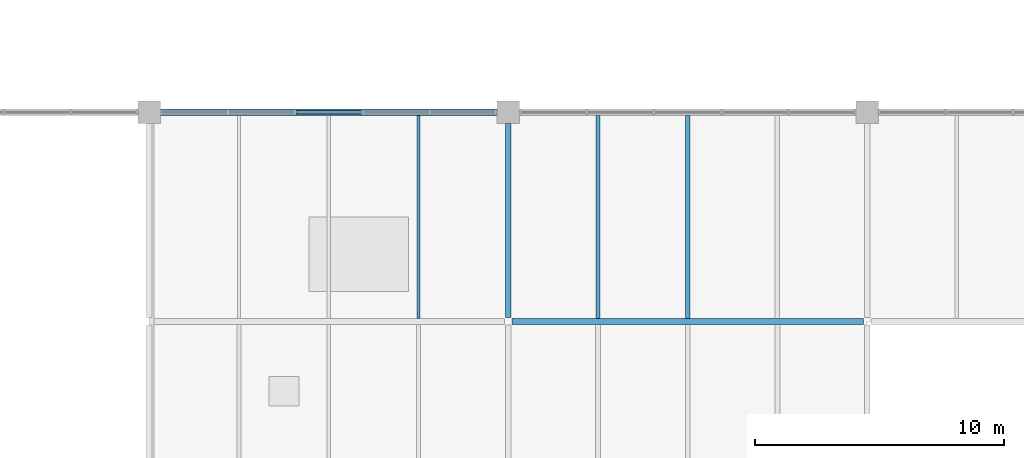
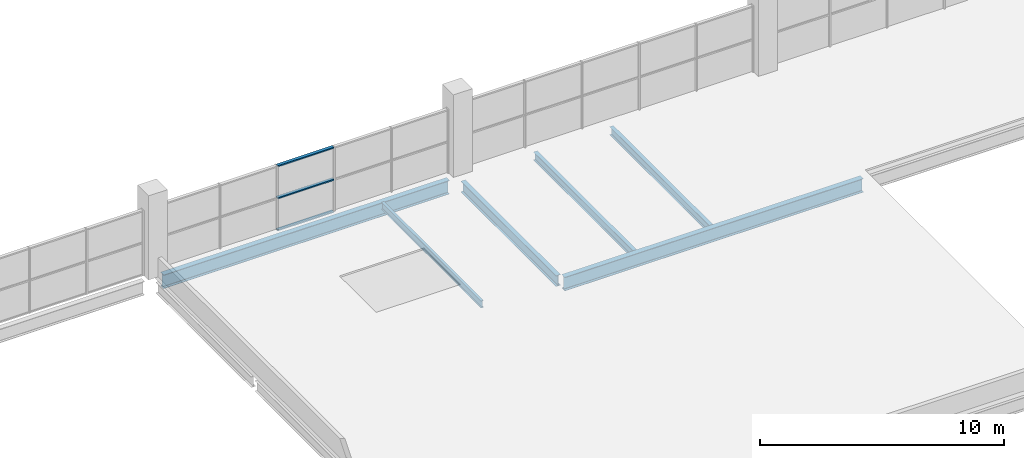
# One storey, part 13 of 93: 6 beams, 3 members, 1 element without a shape of its own.
"""IFC4 building model written with IfcOpenShell, lengths in metres."""

from ifc_helpers import new_model, si_unit, direction, frame, origin, origin_2d, place, context, subcontext, project, spatial, hollow_rectangle, i_section, extrude, material, material_profile, profile_set, type_object, element, aggregate, save


model = new_model("IFC4")

# Units and contexts
model_context = context("Model", 3, precision=1e-05, world=origin(), true_north=direction((0.0, 1.0)))
body_context = subcontext(model_context, "Body", "Model", "MODEL_VIEW")
ifc_project = project(units=[si_unit("LENGTHUNIT", "METRE"), si_unit("AREAUNIT", "SQUARE_METRE"), si_unit("VOLUMEUNIT", "CUBIC_METRE"), si_unit("PLANEANGLEUNIT", "RADIAN"), si_unit("MASSUNIT", "GRAM", prefix="KILO"), si_unit("THERMODYNAMICTEMPERATUREUNIT", "KELVIN")], contexts=[model_context])

# Site, building, storey
site_placement = place(None, origin())
site = spatial("IfcSite", under=ifc_project, at=site_placement, CompositionType="ELEMENT")
building_placement = place(site_placement, origin())
building = spatial("IfcBuilding", under=site, at=building_placement, Name="Nduvali Passage Aquatics Centre", CompositionType="ELEMENT")
storey_placement = place(building_placement, frame((0.0, 0.0, 9.0)))
storey = spatial("IfcBuildingStorey", under=building, at=storey_placement, Name="L02", CompositionType="ELEMENT", Elevation=9.0)

# Curtain wall, members
ifc_material_1 = material(Name="Aluminium EN AW-6063 T6", Category="aluminium")
curtain_wall_type = type_object("IfcCurtainWallType", Name="ENV-CW-CLER", PredefinedType="NOTDEFINED", material=ifc_material_1)
curtain_wall_placement = place(storey_placement, origin())
curtain_wall = element("IfcCurtainWall", 1, at=curtain_wall_placement, inside=storey, type_object=curtain_wall_type, Name="L02 South Pool Hall Eave Clerestory 047", PredefinedType="NOTDEFINED")
ifc_material_profile_1 = material_profile(ifc_material_1, hollow_rectangle(XDim=0.14990234375, YDim=0.06005859375, WallThickness=0.00390625, at=origin_2d()), Name="ALU TRANSOM 150x60x4")
ifc_profile_set_1 = profile_set([ifc_material_profile_1], Name="Aluminium EN AW-6063 T6")
member_type = type_object("IfcMemberType", Name="ENV-MEM-TRN80", PredefinedType="USERDEFINED", material=ifc_profile_set_1)
member_1_placement = place(storey_placement, frame((45.47998046875, 25.199951171875, 0.030029296875), z_axis=(1.0, 0.0, 0.0), x_axis=(0.0, 1.0, 0.0)))
member_1 = element("IfcMember", 2, at=member_1_placement, type_object=member_type, Name="South Pool Hall Eave Clerestory Transom B3-R0", ObjectType="TRANSOM", PredefinedType="USERDEFINED", context=body_context, shape_type="SweptSolid", body=[
    extrude(hollow_rectangle(XDim=0.14990234375, YDim=0.06005859375, WallThickness=0.00390625, at=origin_2d()), origin(), (0.0, 0.0, 1.0), 2.64013671875),
])
member_2_placement = place(storey_placement, frame((45.47998046875, 25.199951171875, 1.63134765625), z_axis=(1.0, 0.0, 0.0), x_axis=(0.0, 1.0, 0.0)))
member_2 = element("IfcMember", 3, at=member_2_placement, type_object=member_type, Name="South Pool Hall Eave Clerestory Transom B3-R1", ObjectType="TRANSOM", PredefinedType="USERDEFINED", context=body_context, shape_type="SweptSolid", body=[
    extrude(hollow_rectangle(XDim=0.14990234375, YDim=0.06005859375, WallThickness=0.00390625, at=origin_2d()), origin(), (0.0, 0.0, 1.0), 2.64013671875),
])
member_3_placement = place(storey_placement, frame((45.47998046875, 25.199951171875, 3.232666015625), z_axis=(1.0, 0.0, 0.0), x_axis=(0.0, 1.0, 0.0)))
member_3 = element("IfcMember", 4, at=member_3_placement, type_object=member_type, Name="South Pool Hall Eave Clerestory Transom B3-R2", ObjectType="TRANSOM", PredefinedType="USERDEFINED", context=body_context, shape_type="SweptSolid", body=[
    extrude(hollow_rectangle(XDim=0.14990234375, YDim=0.06005859375, WallThickness=0.00390625, at=origin_2d()), origin(), (0.0, 0.0, 1.0), 2.64013671875),
])
aggregate(curtain_wall, [member_1, member_2, member_3])

# Beams
ifc_material_2 = material(Name="Steel S355", Category="steel")
ifc_material_profile_2 = material_profile(ifc_material_2, i_section(OverallWidth=0.210693359375, OverallDepth=0.53955078125, WebThickness=0.01171875, FlangeThickness=0.018798828125, FilletRadius=0.0126953125, at=origin_2d()), Name="UKB 533x210x109")
ifc_profile_set_2 = profile_set([ifc_material_profile_2], Name="Steel S355")
beam_type_1 = type_object("IfcBeamType", Name="STR-BM-UKB533", PredefinedType="BEAM", material=ifc_profile_set_2)
beam_1_placement = place(storey_placement, frame((54.0, 16.949951171875, -0.493896484375), z_axis=(0.0, 1.0, 0.0), x_axis=(-1.0, 0.0, 0.0)))
element("IfcBeam", 5, at=beam_1_placement, inside=storey, type_object=beam_type_1, Name="L02 Primary Y-Girder B6-0976", PredefinedType="BEAM", context=body_context, shape_type="SweptSolid", body=[
    extrude(i_section(OverallWidth=0.210693359375, OverallDepth=0.53955078125, WebThickness=0.01171875, FlangeThickness=0.018798828125, FilletRadius=0.0126953125, at=origin_2d()), origin(), (0.0, 0.0, 1.0), 7.800048828125),
])
ifc_material_profile_3 = material_profile(ifc_material_2, i_section(OverallWidth=0.253662109375, OverallDepth=0.68359375, WebThickness=0.012451171875, FlangeThickness=0.01904296875, FilletRadius=0.01513671875, at=origin_2d()), Name="UKB 686x254x140")
ifc_profile_set_3 = profile_set([ifc_material_profile_3], Name="Steel S355")
beam_type_2 = type_object("IfcBeamType", Name="STR-BM-UKB686", PredefinedType="BEAM", material=ifc_profile_set_3)
beam_2_placement = place(storey_placement, frame((54.14990234375, 16.800048828125, -0.565673828125), z_axis=(1.0, 0.0, 0.0), x_axis=(0.0, 1.0, 0.0)))
element("IfcBeam", 6, at=beam_2_placement, inside=storey, type_object=beam_type_2, Name="L02 Primary X-Girder B4-0869", PredefinedType="BEAM", context=body_context, shape_type="SweptSolid", body=[
    extrude(i_section(OverallWidth=0.253662109375, OverallDepth=0.68359375, WebThickness=0.012451171875, FlangeThickness=0.01904296875, FilletRadius=0.01513671875, at=origin_2d()), origin(), (0.0, 0.0, 1.0), 14.10009765625),
])
ifc_material_profile_4 = material_profile(ifc_material_2, i_section(OverallWidth=0.253662109375, OverallDepth=0.68359375, WebThickness=0.012451171875, FlangeThickness=0.01904296875, FilletRadius=0.01513671875, at=origin_2d()), Name="UKB 686x254x140")
ifc_profile_set_4 = profile_set([ifc_material_profile_4], Name="Steel S355")
beam_type_3 = type_object("IfcBeamType", Name="STR-BM-UKB686-EXT", PredefinedType="BEAM", material=ifc_profile_set_4)
beam_3_placement = place(storey_placement, frame((40.050048828125, 25.199951171875, -0.605712890625), z_axis=(1.0, 0.0, 0.0), x_axis=(0.0, 1.0, 0.0)))
element("IfcBeam", 7, at=beam_3_placement, inside=storey, type_object=beam_type_3, Name="L02 Primary X-Girder B4E-0875", PredefinedType="BEAM", context=body_context, shape_type="SweptSolid", body=[
    extrude(i_section(OverallWidth=0.253662109375, OverallDepth=0.68359375, WebThickness=0.012451171875, FlangeThickness=0.01904296875, FilletRadius=0.01513671875, at=origin_2d()), origin(), (0.0, 0.0, 1.0), 13.5),
])
ifc_material_profile_5 = material_profile(ifc_material_2, i_section(OverallWidth=0.1259765625, OverallDepth=0.353515625, WebThickness=0.006591796875, FlangeThickness=0.0107421875, FilletRadius=0.01025390625, at=origin_2d()), Name="UKB 356x127x39")
ifc_profile_set_5 = profile_set([ifc_material_profile_5], Name="Steel S355")
beam_type_4 = type_object("IfcBeamType", Name="STR-JST-UKB356L", PredefinedType="JOIST", material=ifc_profile_set_5)
beam_4_placement = place(storey_placement, frame((50.39990234375, 16.9267578125, -0.400634765625), z_axis=(0.0, 1.0, 0.0), x_axis=(-1.0, 0.0, 0.0)))
element("IfcBeam", 8, at=beam_4_placement, inside=storey, type_object=beam_type_4, Name="L02 Secondary Joist J2A-1079", PredefinedType="JOIST", context=body_context, shape_type="SweptSolid", body=[
    extrude(i_section(OverallWidth=0.1259765625, OverallDepth=0.353515625, WebThickness=0.006591796875, FlangeThickness=0.0107421875, FilletRadius=0.01025390625, at=origin_2d()), origin(), (0.0, 0.0, 1.0), 8.146484375),
])
ifc_material_profile_6 = material_profile(ifc_material_2, i_section(OverallWidth=0.1787109375, OverallDepth=0.409423828125, WebThickness=0.0087890625, FlangeThickness=0.014404296875, FilletRadius=0.01025390625, at=origin_2d()), Name="UKB 406x178x67")
ifc_profile_set_6 = profile_set([ifc_material_profile_6], Name="Steel S355")
beam_type_5 = type_object("IfcBeamType", Name="STR-JST-UKB406", PredefinedType="JOIST", material=ifc_profile_set_6)
for number, where, z_axis, x_axis, name in (
    (9, (57.60009765625, 16.9267578125, -0.4287109375), (0.0, 1.0, 0.0), (-1.0, 0.0, 0.0), "L02 Secondary Joist J1-1080"),
    (10, (61.199951171875, 16.9267578125, -0.4287109375), (0.0, 1.0, 0.0), (-1.0, 0.0, 0.0), "L02 Secondary Joist J1-1081"),
):
    element("IfcBeam", number, at=place(storey_placement, frame(where, z_axis=z_axis, x_axis=x_axis)), inside=storey, type_object=beam_type_5, Name=name, PredefinedType="JOIST", context=body_context, shape_type="SweptSolid", body=[
        extrude(i_section(OverallWidth=0.1787109375, OverallDepth=0.409423828125, WebThickness=0.0087890625, FlangeThickness=0.014404296875, FilletRadius=0.01025390625, at=origin_2d()), origin(), (0.0, 0.0, 1.0), 8.146484375),
    ])

save(model, "model.ifc")
